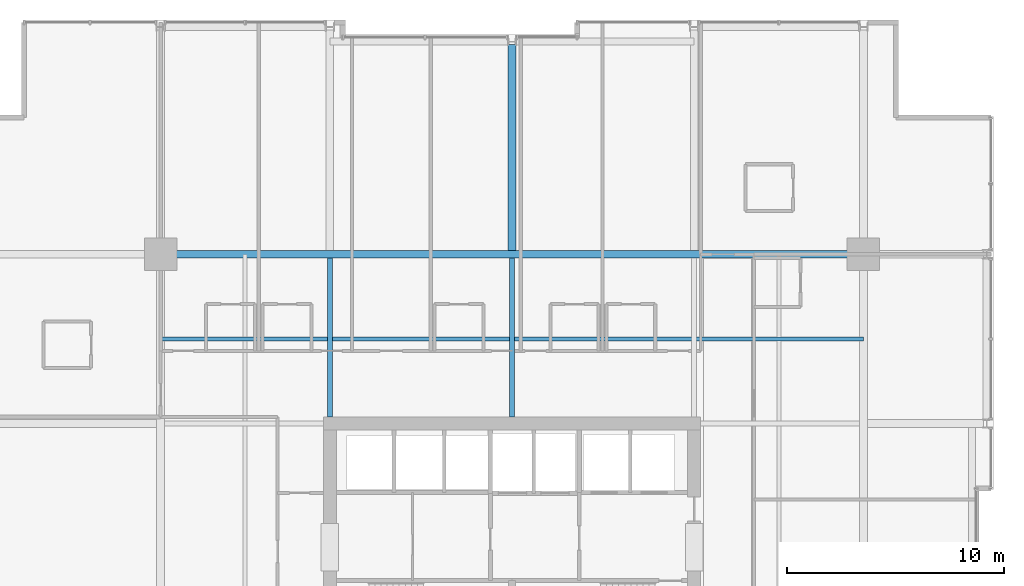
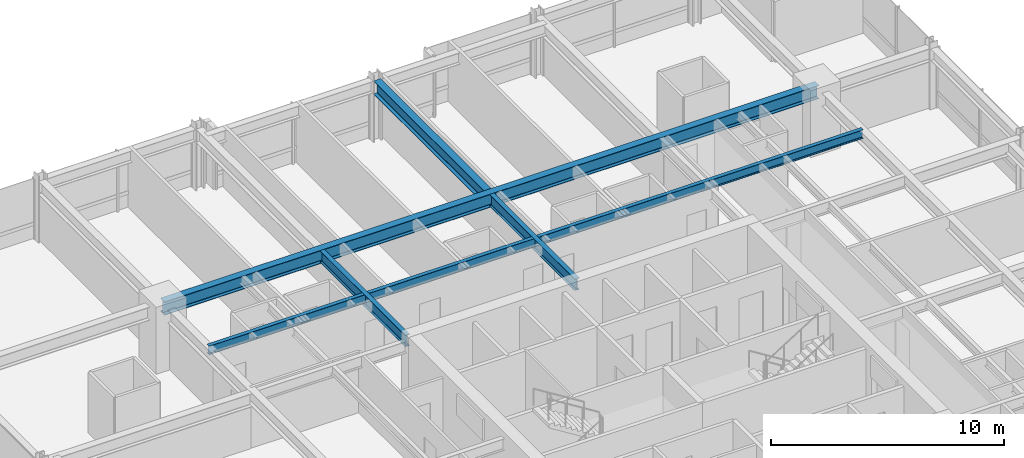
# One storey, part 19 of 35: 5 beams.
"""IFC4 building model written with IfcOpenShell, lengths in metres."""

import ifcopenshell
import ifcopenshell.guid

model = None  # the IFC model being written
_history = None  # IfcOwnerHistory: only IFC2X3 demands one
_inside = {}  # id of a spatial element -> (the spatial element, [elements in it])
_under = {}  # id of a project, library or spatial element -> (it, [spatial elements below it])
_declared = {}  # id of a project -> (the project, [libraries it declares])
_typed = {}  # id of a type object -> (the type object, [elements of that type])
_made_of = {}  # id of a material, layer set ... -> (it, [elements and type objects made of it])


def new_model(schema):
    """Start an empty IFC model of exactly this schema.

    Asked for "IFC4X3", IfcOpenShell would pick the latest addendum, in which some entities
    have other attributes; the version numbers below select the first issue.
    IFC2X3 requires an IfcOwnerHistory on every rooted entity: one is made here for all.
    """
    global model, _history
    if schema == "IFC4X3":
        model = ifcopenshell.file(schema_version=(4, 3, 0, 0))
    else:
        model = ifcopenshell.file(schema=schema)
    _inside.clear()
    _under.clear()
    _declared.clear()
    _typed.clear()
    _made_of.clear()
    _history = None
    if model.schema == "IFC2X3":
        org = make("IfcOrganization", Name="unknown")
        user = make(
            "IfcPersonAndOrganization",
            ThePerson=make("IfcPerson", FamilyName="unknown"),
            TheOrganization=org,
        )
        app = make(
            "IfcApplication",
            ApplicationDeveloper=org,
            Version="unknown",
            ApplicationFullName="unknown",
            ApplicationIdentifier="unknown",
        )
        _history = make(
            "IfcOwnerHistory",
            OwningUser=user,
            OwningApplication=app,
            ChangeAction="ADDED",
            CreationDate=0,
        )
    return model


def make(cls, **values):
    """One entity of the class cls with the attributes given. An attribute that is None is left unset."""
    return model.create_entity(
        cls, **{name: value for name, value in values.items() if value is not None}
    )


def rooted(cls, **values):
    """An entity with a GlobalId (a new one), such as an element, a storey or a relation."""
    return make(cls, GlobalId=ifcopenshell.guid.new(), OwnerHistory=_history, **values)


def si_unit(unit_type, name, prefix=None):
    """IfcSIUnit, for example si_unit("LENGTHUNIT", "METRE", prefix="MILLI")."""
    return make("IfcSIUnit", UnitType=unit_type, Prefix=prefix, Name=name)


def assignment(units):
    """IfcUnitAssignment: the units of a project."""
    return None if units is None else make("IfcUnitAssignment", Units=units)


def point(xyz):
    """IfcCartesianPoint."""
    return None if xyz is None else make("IfcCartesianPoint", Coordinates=xyz)


def direction(xyz):
    """IfcDirection."""
    return None if xyz is None else make("IfcDirection", DirectionRatios=xyz)


def frame(location, z_axis=None, x_axis=None):
    """IfcAxis2Placement3D, a coordinate frame: its origin and axes. An axis left out is left unset."""
    return make(
        "IfcAxis2Placement3D",
        Location=point(location),
        Axis=direction(z_axis),
        RefDirection=direction(x_axis),
    )


def frame_2d(location, x_axis=None):
    """IfcAxis2Placement2D, a coordinate frame in the plane: its origin and x axis."""
    return make(
        "IfcAxis2Placement2D", Location=point(location), RefDirection=direction(x_axis)
    )


def origin():
    """The frame at (0, 0, 0) with its axes left unset."""
    return frame((0.0, 0.0, 0.0))


def origin_2d():
    """The frame at (0, 0) in the plane with its x axis left unset."""
    return frame_2d((0.0, 0.0))


def place(relative_to, where):
    """IfcLocalPlacement: puts the frame where relative to a parent placement (None: the world)."""
    return make(
        "IfcLocalPlacement", PlacementRelTo=relative_to, RelativePlacement=where
    )


def context(
    kind, dimensions, precision=None, world=None, true_north=None, identifier=None
):
    """IfcGeometricRepresentationContext, for example the 3D "Model" context."""
    return make(
        "IfcGeometricRepresentationContext",
        ContextIdentifier=identifier,
        ContextType=kind,
        CoordinateSpaceDimension=dimensions,
        Precision=precision,
        WorldCoordinateSystem=world,
        TrueNorth=true_north,
    )


def subcontext(parent, identifier, kind, view, scale=None):
    """IfcGeometricRepresentationSubContext, for example "Body" below "Model"."""
    return make(
        "IfcGeometricRepresentationSubContext",
        ContextIdentifier=identifier,
        ContextType=kind,
        ParentContext=parent,
        TargetScale=scale,
        TargetView=view,
    )


def project(units=None, contexts=None):
    """IfcProject with its units and contexts."""
    return rooted(
        "IfcProject",
        Name="project",
        RepresentationContexts=contexts,
        UnitsInContext=assignment(units),
    )


def spatial(cls, under=None, at=None, **own):
    """A site, building, storey or space (cls), placed at a placement, below another one or the project."""
    s = rooted(cls, ObjectPlacement=at, **own)
    if under is not None:
        _under.setdefault(under.id(), (under, []))[1].append(s)
    return s


def profile(cls, at=None, kind="AREA", **sizes):
    """A parametric profile (cls). Its sizes go by their IFC names, for example OverallWidth=200.0."""
    return make(cls, ProfileType=kind, Position=at, **sizes)


def i_section(**sizes):
    """IfcIShapeProfileDef."""
    return profile("IfcIShapeProfileDef", **sizes)


def extrude(swept, where, along, depth):
    """IfcExtrudedAreaSolid: the profile swept, set in the frame where, extruded along a direction by depth."""
    return make(
        "IfcExtrudedAreaSolid",
        SweptArea=swept,
        Position=where,
        ExtrudedDirection=direction(along),
        Depth=depth,
    )


def shape(context_of_items, identifier, shape_type, items):
    """IfcShapeRepresentation: the items that make up one representation, for example the "Body"."""
    return make(
        "IfcShapeRepresentation",
        ContextOfItems=context_of_items,
        RepresentationIdentifier=identifier,
        RepresentationType=shape_type,
        Items=items,
    )


def material(Name=None, Category=None):
    """IfcMaterial."""
    return make("IfcMaterial", Name=Name, Category=Category)


def material_profile(
    of_material, cross_section, Name=None, Category=None, Priority=None
):
    """IfcMaterialProfile: a cross section and its material."""
    return make(
        "IfcMaterialProfile",
        Name=Name,
        Material=of_material,
        Profile=cross_section,
        Priority=Priority,
        Category=Category,
    )


def profile_set(profiles, Name=None, composite=None):
    """IfcMaterialProfileSet."""
    return make(
        "IfcMaterialProfileSet",
        Name=Name,
        MaterialProfiles=profiles,
        CompositeProfile=composite,
    )


def made_of(thing, what):
    """Note that an element or type object is made of a material, layer set ...; save() writes the relation."""
    if what is not None:
        _made_of.setdefault(what.id(), (what, []))[1].append(thing)
    return thing


def type_object(cls, material=None, **own):
    """A type object (cls), such as IfcWallType, which elements share."""
    return made_of(rooted(cls, **own), material)


def element(
    cls,
    number,
    at=None,
    inside=None,
    cuts=None,
    type_object=None,
    material=None,
    context=None,
    identifier="Body",
    shape_type=None,
    held_by="IfcProductDefinitionShape",
    body=None,
    shapes=None,
    **own,
):
    """One element of the class cls, such as IfcWall. Its Tag is "e" and its number.

    at: its placement. inside: the storey or other place that contains it. cuts: it is an
    opening in that element (IfcRelVoidsElement). A single representation is given by context,
    identifier, shape_type and body (its items); several are given by shapes. held_by: the class
    of the entity that holds the representations. save() writes the other relations.
    """
    e = rooted(cls, Tag="e%d" % number, ObjectPlacement=at, **own)
    if body is not None:
        shapes = [shape(context, identifier, shape_type, body)]
    if shapes is not None:
        e.Representation = make(held_by, Representations=shapes)
    if inside is not None:
        _inside.setdefault(inside.id(), (inside, []))[1].append(e)
    if cuts is not None:
        rooted(
            "IfcRelVoidsElement", RelatingBuildingElement=cuts, RelatedOpeningElement=e
        )
    if type_object is not None:
        _typed.setdefault(type_object.id(), (type_object, []))[1].append(e)
    return made_of(e, material)


def aggregate(whole, parts):
    """IfcRelAggregates: a whole, such as a stair, and the parts it consists of."""
    return rooted("IfcRelAggregates", RelatingObject=whole, RelatedObjects=parts)


def save(model, path):
    """Write the relations noted so far, then the file.

    IfcRelAggregates (storeys below a building ...), IfcRelContainedInSpatialStructure (elements
    in a storey), IfcRelDefinesByType, IfcRelAssociatesMaterial and IfcRelDeclares: one each for
    every whole, place, type object, material and project.
    """
    for whole, parts in _under.values():
        aggregate(whole, parts)
    for where, things in _inside.values():
        rooted(
            "IfcRelContainedInSpatialStructure",
            RelatedElements=things,
            RelatingStructure=where,
        )
    for kind, things in _typed.values():
        rooted("IfcRelDefinesByType", RelatedObjects=things, RelatingType=kind)
    for what, things in _made_of.values():
        rooted("IfcRelAssociatesMaterial", RelatedObjects=things, RelatingMaterial=what)
    for by, libraries in _declared.values():
        rooted("IfcRelDeclares", RelatingContext=by, RelatedDefinitions=libraries)
    model.write(path)


model = new_model("IFC4")

# Units and contexts
model_context = context("Model", 3, precision=1e-05, world=origin(), true_north=direction((0.0, 1.0)))
body_context = subcontext(model_context, "Body", "Model", "MODEL_VIEW")
ifc_project = project(units=[si_unit("LENGTHUNIT", "METRE"), si_unit("AREAUNIT", "SQUARE_METRE"), si_unit("VOLUMEUNIT", "CUBIC_METRE"), si_unit("PLANEANGLEUNIT", "RADIAN"), si_unit("MASSUNIT", "GRAM", prefix="KILO")], contexts=[model_context])

# Site, building, storey
site_placement = place(None, origin())
site = spatial("IfcSite", under=ifc_project, at=site_placement, CompositionType="ELEMENT")
building_placement = place(site_placement, origin())
building = spatial("IfcBuilding", under=site, at=building_placement, Name="Drelvath Grand Hotel", CompositionType="ELEMENT")
storey_placement = place(building_placement, frame((0.0, 0.0, 137.300048828125)))
storey = spatial("IfcBuildingStorey", under=building, at=storey_placement, Name="L35", CompositionType="ELEMENT", Elevation=137.300048828125)

# Beams
ifc_material = material(Name="Steel ASTM A992 Gr 50", Category="steel")
ifc_material_profile_1 = material_profile(ifc_material, i_section(OverallWidth=0.19140625, OverallDepth=0.4599609375, WebThickness=0.010009765625, FlangeThickness=0.01611328125, FilletRadius=0.01611328125, at=origin_2d()), Name="W18X55")
ifc_profile_set_1 = profile_set([ifc_material_profile_1], Name="Steel ASTM A992 Gr 50")
beam_type_1 = type_object("IfcBeamType", Name="Composite Floor Joist W18X55", PredefinedType="JOIST", material=ifc_profile_set_1)
beam_1_placement = place(storey_placement, frame((-16.199951171875, 39.300048828125, 2.949951171875), z_axis=(1.0, 0.0, 0.0), x_axis=(0.0, 1.0, 0.0)))
element("IfcBeam", 1, at=beam_1_placement, inside=storey, type_object=beam_type_1, Name="L35 Floor Joist J2", PredefinedType="JOIST", context=body_context, shape_type="SweptSolid", body=[
    extrude(i_section(OverallWidth=0.19140625, OverallDepth=0.4599609375, WebThickness=0.010009765625, FlangeThickness=0.01611328125, FilletRadius=0.01611328125, at=origin_2d()), origin(), (0.0, 0.0, 1.0), 32.39990234375),
])
ifc_material_profile_2 = material_profile(ifc_material, i_section(OverallWidth=0.228271484375, OverallDepth=0.607666015625, WebThickness=0.01123046875, FlangeThickness=0.017333984375, FilletRadius=0.02001953125, at=origin_2d()), Name="W24X76")
ifc_profile_set_2 = profile_set([ifc_material_profile_2], Name="Steel ASTM A992 Gr 50")
beam_type_2 = type_object("IfcBeamType", Name="Primary Floor Girder W24X76", PredefinedType="BEAM", material=ifc_profile_set_2)
for number, where, z_axis, x_axis, name in (
    (2, (-8.39990234375, 35.699951171875, 2.876220703125), (0.0, 1.0, 0.0), (-1.0, 0.0, 0.0), "L35 North Core Tie 4"),
    (3, (0.0, 35.699951171875, 2.876220703125), (0.0, 1.0, 0.0), (-1.0, 0.0, 0.0), "L35 North Core Tie 5"),
):
    element("IfcBeam", number, at=place(storey_placement, frame(where, z_axis=z_axis, x_axis=x_axis)), inside=storey, type_object=beam_type_2, Name=name, PredefinedType="BEAM", context=body_context, shape_type="SweptSolid", body=[
        extrude(i_section(OverallWidth=0.228271484375, OverallDepth=0.607666015625, WebThickness=0.01123046875, FlangeThickness=0.017333984375, FilletRadius=0.02001953125, at=origin_2d()), origin(), (0.0, 0.0, 1.0), 7.32275390625),
    ])
ifc_material_profile_3 = material_profile(ifc_material, i_section(OverallWidth=0.354736328125, OverallDepth=0.695556640625, WebThickness=0.015380859375, FlangeThickness=0.025146484375, FilletRadius=0.02392578125, at=origin_2d()), Name="W27X146")
ifc_profile_set_3 = profile_set([ifc_material_profile_3], Name="Steel ASTM A992 Gr 50")
beam_type_3 = type_object("IfcBeamType", Name="Primary Floor Girder W27X146", PredefinedType="BEAM", material=ifc_profile_set_3)
beam_2_placement = place(storey_placement, frame((-16.199951171875, 43.199951171875, 2.83203125), z_axis=(1.0, 0.0, 0.0), x_axis=(0.0, 1.0, 0.0)))
element("IfcBeam", 4, at=beam_2_placement, inside=storey, type_object=beam_type_3, Name="L35 Mega Ring Girder North", PredefinedType="BEAM", context=body_context, shape_type="SweptSolid", body=[
    extrude(i_section(OverallWidth=0.354736328125, OverallDepth=0.695556640625, WebThickness=0.015380859375, FlangeThickness=0.025146484375, FilletRadius=0.02392578125, at=origin_2d()), origin(), (0.0, 0.0, 1.0), 32.39990234375),
])
beam_3_placement = place(storey_placement, frame((0.0, 43.37744140625, 2.83203125), z_axis=(0.0, 1.0, 0.0), x_axis=(-1.0, 0.0, 0.0)))
element("IfcBeam", 5, at=beam_3_placement, inside=storey, type_object=beam_type_3, Name="L35 North Wing Girder 5", PredefinedType="BEAM", context=body_context, shape_type="SweptSolid", body=[
    extrude(i_section(OverallWidth=0.354736328125, OverallDepth=0.695556640625, WebThickness=0.015380859375, FlangeThickness=0.025146484375, FilletRadius=0.02392578125, at=origin_2d()), origin(), (0.0, 0.0, 1.0), 9.482666015625),
])

save(model, "model.ifc")
